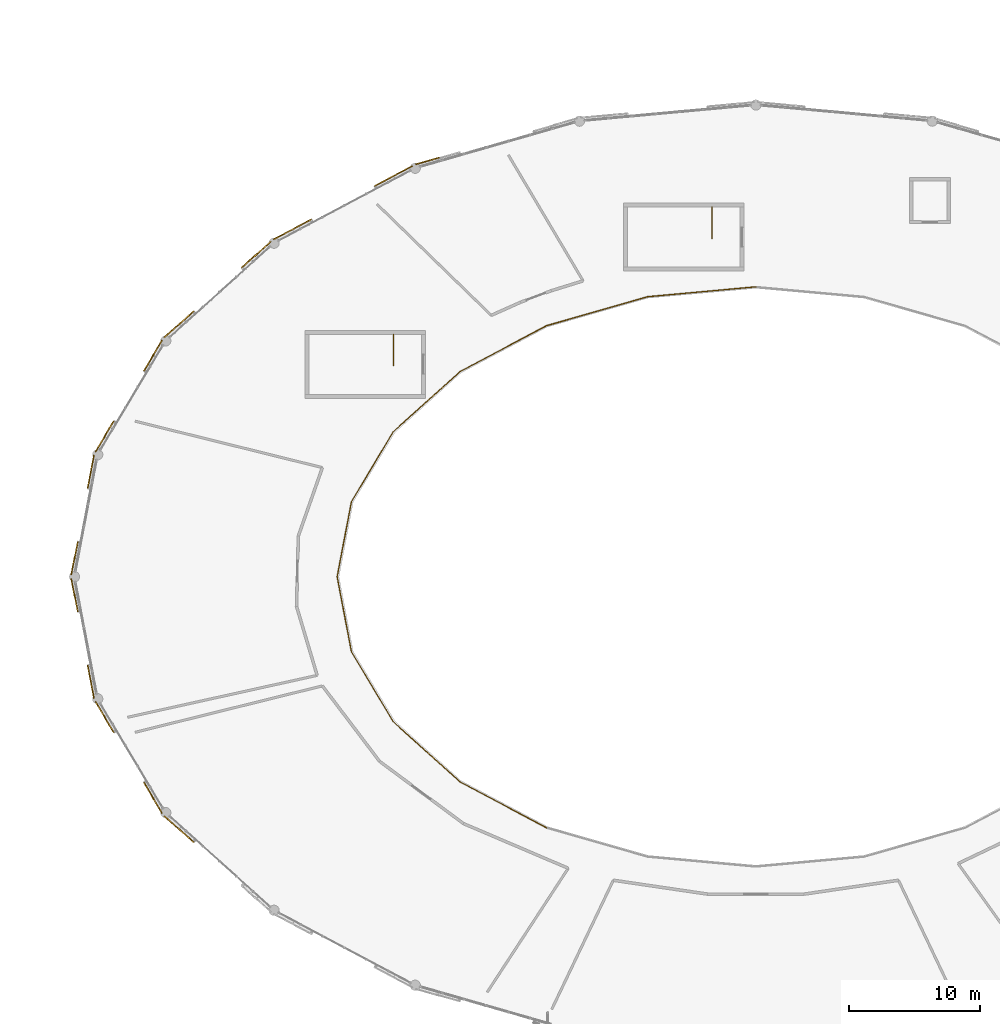
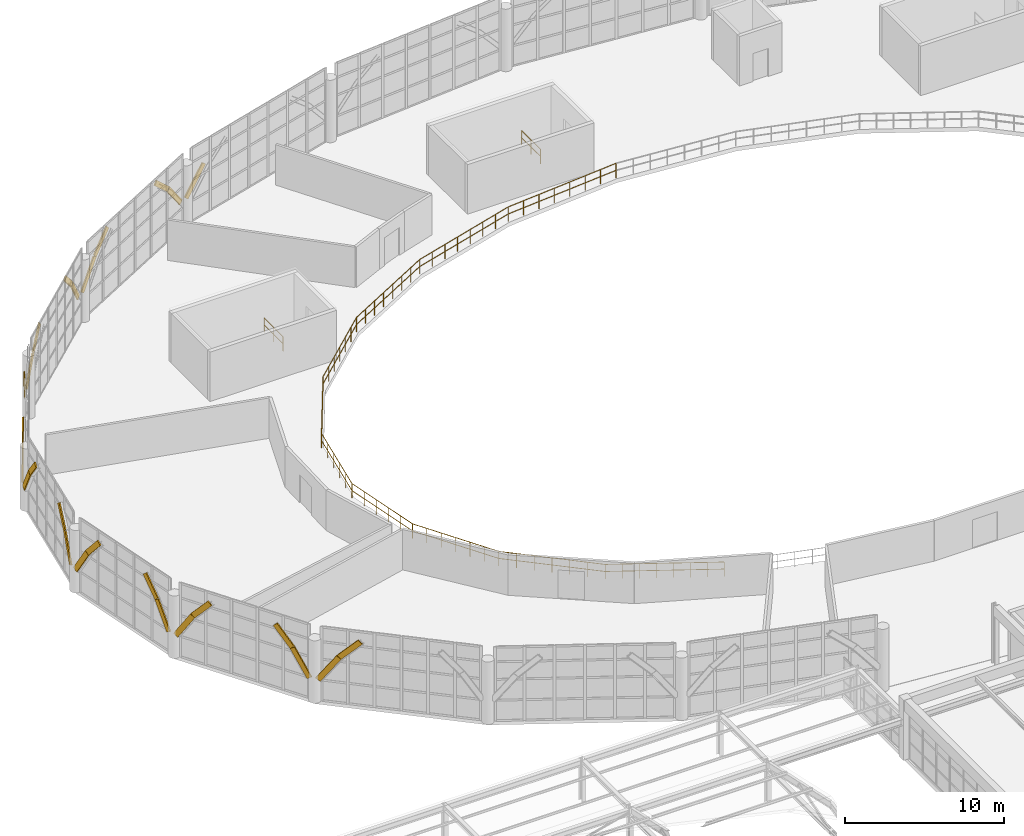
# One storey, part 101 of 109: 27 coverings, 12 railings.
"""IFC4 building model written with IfcOpenShell, lengths in metres."""

from ifc_helpers import new_model, si_unit, direction, frame, origin, origin_2d, place, context, subcontext, project, spatial, rectangle, circle, extrude, material, layer, layer_set, type_object, element, save


model = new_model("IFC4")

# Units and contexts
model_context = context("Model", 3, precision=1e-05, world=origin(), true_north=direction((0.0, 1.0)))
body_context = subcontext(model_context, "Body", "Model", "MODEL_VIEW")
ifc_project = project(units=[si_unit("LENGTHUNIT", "METRE"), si_unit("AREAUNIT", "SQUARE_METRE"), si_unit("VOLUMEUNIT", "CUBIC_METRE"), si_unit("PLANEANGLEUNIT", "RADIAN"), si_unit("MASSUNIT", "GRAM", prefix="KILO")], contexts=[model_context])

# Site, building, storey
site_placement = place(None, origin())
site = spatial("IfcSite", under=ifc_project, at=site_placement, CompositionType="ELEMENT")
building_placement = place(site_placement, origin())
building = spatial("IfcBuilding", under=site, at=building_placement, Name="Kivolera Central Railway Station", CompositionType="ELEMENT")
storey_placement = place(building_placement, frame((0.0, 0.0, 9.60009765625)))
storey = spatial("IfcBuildingStorey", under=building, at=storey_placement, Name="L02", CompositionType="ELEMENT", Elevation=9.60009765625)

# Coverings
ifc_material_1 = material(Name="Precast concrete C40/50", Category="concrete")
ifc_layer_1 = layer(ifc_material_1, 0.090087890625, Name="Precast concrete C40/50")
ifc_layer_set_1 = layer_set([ifc_layer_1], Name="Precast concrete C40/50")
covering_type = type_object("IfcCoveringType", Name="COV-CLAUSTRA-90", PredefinedType="CLADDING", material=ifc_layer_set_1)
covering_1_placement = place(storey_placement, frame((38.946044921875, 121.712890625, 2.73388671875), z_axis=(-0.620126449154, -0.177753496044, -0.76409873819), x_axis=(-0.275632123108, 0.961263196378, 0.0)))
element("IfcCovering", 1, at=covering_1_placement, inside=storey, type_object=covering_type, Name="Oval Lantern Arch Spandrel Extrados Trim 08.6", PredefinedType="CLADDING", context=body_context, shape_type="SweptSolid", body=[
    extrude(rectangle(XDim=0.090087890625, YDim=0.3798828125, at=origin_2d()), frame((0.0, 0.0, -1.24365234375)), (0.0, 0.0, 1.0), 2.487060546875),
])
covering_2_placement = place(storey_placement, frame((36.998046875, 120.93310546875, 2.72998046875), z_axis=(-0.545526623994, -0.289733411997, 0.786419259992), x_axis=(-0.469119253064, 0.88313482912, 0.0)))
element("IfcCovering", 2, at=covering_2_placement, inside=storey, type_object=covering_type, Name="Oval Lantern Arch Spandrel Extrados Trim 09.1", PredefinedType="CLADDING", context=body_context, shape_type="SweptSolid", body=[
    extrude(rectangle(XDim=0.090087890625, YDim=0.3798828125, at=origin_2d()), frame((0.0, 0.0, -1.2080078125)), (0.0, 0.0, 1.0), 2.416015625),
])
covering_3_placement = place(storey_placement, frame((35.666015625, 120.22607421875, 4.3759765625), z_axis=(-0.653053446153, -0.346578781081, 0.673353061158), x_axis=(-0.469119253064, 0.88313482912, 0.0)))
element("IfcCovering", 3, at=covering_3_placement, inside=storey, type_object=covering_type, Name="Oval Lantern Arch Spandrel Extrados Trim 09.2", PredefinedType="CLADDING", context=body_context, shape_type="SweptSolid", body=[
    extrude(rectangle(XDim=0.090087890625, YDim=0.3798828125, at=origin_2d()), frame((0.0, 0.0, -1.010009765625)), (0.0, 0.0, 1.0), 2.02001953125),
])
covering_4_placement = place(storey_placement, frame((29.323974609375, 116.85693359375, 4.3759765625), z_axis=(-0.652769351274, -0.346690854146, -0.673570802283), x_axis=(-0.469119253064, 0.88313482912, 0.0)))
element("IfcCovering", 4, at=covering_4_placement, inside=storey, type_object=covering_type, Name="Oval Lantern Arch Spandrel Extrados Trim 09.5", PredefinedType="CLADDING", context=body_context, shape_type="SweptSolid", body=[
    extrude(rectangle(XDim=0.090087890625, YDim=0.3798828125, at=origin_2d()), frame((0.0, 0.0, -1.009521484375)), (0.0, 0.0, 1.0), 2.01904296875),
])
covering_5_placement = place(storey_placement, frame((27.992919921875, 116.14990234375, 2.72998046875), z_axis=(-0.545817252017, -0.289667988009, -0.786241683024), x_axis=(-0.469119253064, 0.88313482912, 0.0)))
element("IfcCovering", 5, at=covering_5_placement, inside=storey, type_object=covering_type, Name="Oval Lantern Arch Spandrel Extrados Trim 09.6", PredefinedType="CLADDING", context=body_context, shape_type="SweptSolid", body=[
    extrude(rectangle(XDim=0.090087890625, YDim=0.3798828125, at=origin_2d()), frame((0.0, 0.0, -1.20849609375)), (0.0, 0.0, 1.0), 2.4169921875),
])
covering_6_placement = place(storey_placement, frame((26.37109375, 115.02490234375, 2.724853515625), z_axis=(-0.431133332814, -0.388705698832, 0.814267725648), x_axis=(-0.669922245859, 0.742431265844, 0.0)))
element("IfcCovering", 6, at=covering_6_placement, inside=storey, type_object=covering_type, Name="Oval Lantern Arch Spandrel Extrados Trim 10.1", PredefinedType="CLADDING", context=body_context, shape_type="SweptSolid", body=[
    extrude(rectangle(XDim=0.090087890625, YDim=0.3798828125, at=origin_2d()), frame((0.0, 0.0, -1.16650390625)), (0.0, 0.0, 1.0), 2.3330078125),
])
for number, where, z_axis, x_axis, name in (
    (7, (25.35498046875, 114.10791015625, 4.371826171875), (-0.523601648239, -0.473064972216, 0.708555464324), (-0.669922245859, 0.742431265844, 0.0), "Oval Lantern Arch Spandrel Extrados Trim 10.2"),
    (8, (20.5, 109.72705078125, 4.371826171875), (-0.523601648239, -0.473064972216, -0.708555464324), (-0.669922245859, 0.742431265844, 0.0), "Oval Lantern Arch Spandrel Extrados Trim 10.5"),
):
    element("IfcCovering", number, at=place(storey_placement, frame(where, z_axis=z_axis, x_axis=x_axis)), inside=storey, type_object=covering_type, Name=name, PredefinedType="CLADDING", context=body_context, shape_type="SweptSolid", body=[
        extrude(rectangle(XDim=0.090087890625, YDim=0.3798828125, at=origin_2d()), frame((0.0, 0.0, -0.95947265625)), (0.0, 0.0, 1.0), 1.9189453125),
    ])
covering_7_placement = place(storey_placement, frame((19.48388671875, 108.81005859375, 2.724853515625), z_axis=(-0.431133332814, -0.388705698832, -0.814267725648), x_axis=(-0.669922245859, 0.742431265844, 0.0)))
element("IfcCovering", 9, at=covering_7_placement, inside=storey, type_object=covering_type, Name="Oval Lantern Arch Spandrel Extrados Trim 10.6", PredefinedType="CLADDING", context=body_context, shape_type="SweptSolid", body=[
    extrude(rectangle(XDim=0.090087890625, YDim=0.3798828125, at=origin_2d()), frame((0.0, 0.0, -1.16650390625)), (0.0, 0.0, 1.0), 2.3330078125),
])
covering_8_placement = place(storey_placement, frame((18.30810546875, 107.39501953125, 2.719970703125), z_axis=(-0.277895585097, -0.464634338162, 0.840766897293), x_axis=(-0.858137550629, 0.513419851778, 0.0)))
element("IfcCovering", 10, at=covering_8_placement, inside=storey, type_object=covering_type, Name="Oval Lantern Arch Spandrel Extrados Trim 11.1", PredefinedType="CLADDING", context=body_context, shape_type="SweptSolid", body=[
    extrude(rectangle(XDim=0.090087890625, YDim=0.3798828125, at=origin_2d()), frame((0.0, 0.0, -1.1298828125)), (0.0, 0.0, 1.0), 2.260009765625),
])
for number, where, z_axis, x_axis, name in (
    (11, (17.674072265625, 106.3349609375, 4.366943359375), (-0.343400964084, -0.57361084614, 0.743670878182), (-0.858137550629, 0.513419851778, 0.0), "Oval Lantern Arch Spandrel Extrados Trim 11.2"),
    (12, (14.6279296875, 101.243896484375, 4.366943359375), (-0.343400964084, -0.57361084614, -0.743670878182), (-0.858137550629, 0.513419851778, 0.0), "Oval Lantern Arch Spandrel Extrados Trim 11.5"),
):
    element("IfcCovering", number, at=place(storey_placement, frame(where, z_axis=z_axis, x_axis=x_axis)), inside=storey, type_object=covering_type, Name=name, PredefinedType="CLADDING", context=body_context, shape_type="SweptSolid", body=[
        extrude(rectangle(XDim=0.090087890625, YDim=0.3798828125, at=origin_2d()), frame((0.0, 0.0, -0.91455078125)), (0.0, 0.0, 1.0), 1.8291015625),
    ])
covering_9_placement = place(storey_placement, frame((13.992919921875, 100.18408203125, 2.719970703125), z_axis=(-0.277895585097, -0.464634338162, -0.840766897293), x_axis=(-0.858137550629, 0.513419851778, 0.0)))
element("IfcCovering", 13, at=covering_9_placement, inside=storey, type_object=covering_type, Name="Oval Lantern Arch Spandrel Extrados Trim 11.6", PredefinedType="CLADDING", context=body_context, shape_type="SweptSolid", body=[
    extrude(rectangle(XDim=0.090087890625, YDim=0.3798828125, at=origin_2d()), frame((0.0, 0.0, -1.1298828125)), (0.0, 0.0, 1.0), 2.260009765625),
])
covering_10_placement = place(storey_placement, frame((13.3701171875, 98.56494140625, 2.716796875), z_axis=(-0.096105885015, -0.505796700081, 0.857282542137), x_axis=(-0.982390210999, 0.18684077, 0.0)))
element("IfcCovering", 14, at=covering_10_placement, inside=storey, type_object=covering_type, Name="Oval Lantern Arch Spandrel Extrados Trim 12.1", PredefinedType="CLADDING", context=body_context, shape_type="SweptSolid", body=[
    extrude(rectangle(XDim=0.090087890625, YDim=0.3798828125, at=origin_2d()), frame((0.0, 0.0, -1.10791015625)), (0.0, 0.0, 1.0), 2.216064453125),
])
for number, where, z_axis, x_axis, name in (
    (15, (13.154052734375, 97.43310546875, 4.364013671875), (-0.120023926021, -0.631111725113, 0.766349951137), (-0.982390210999, 0.18684077, 0.0), "Oval Lantern Arch Spandrel Extrados Trim 12.2"),
    (16, (12.116943359375, 91.97900390625, 4.364013671875), (-0.120023926021, -0.631111725113, -0.766349951137), (-0.982390210999, 0.18684077, 0.0), "Oval Lantern Arch Spandrel Extrados Trim 12.5"),
):
    element("IfcCovering", number, at=place(storey_placement, frame(where, z_axis=z_axis, x_axis=x_axis)), inside=storey, type_object=covering_type, Name=name, PredefinedType="CLADDING", context=body_context, shape_type="SweptSolid", body=[
        extrude(rectangle(XDim=0.090087890625, YDim=0.3798828125, at=origin_2d()), frame((0.0, 0.0, -0.887451171875)), (0.0, 0.0, 1.0), 1.77490234375),
    ])
for number, where, z_axis, x_axis, name in (
    (17, (11.902099609375, 90.846923828125, 2.716796875), (-0.096552889993, -0.505774716962, -0.857245282936), (-0.982390210999, 0.18684077, 0.0), "Oval Lantern Arch Spandrel Extrados Trim 12.6"),
    (18, (11.902099609375, 89.153076171875, 2.716796875), (0.096552889993, -0.505774716962, 0.857245282936), (-0.982390210999, -0.18684077, 0.0), "Oval Lantern Arch Spandrel Extrados Trim 13.1"),
):
    element("IfcCovering", number, at=place(storey_placement, frame(where, z_axis=z_axis, x_axis=x_axis)), inside=storey, type_object=covering_type, Name=name, PredefinedType="CLADDING", context=body_context, shape_type="SweptSolid", body=[
        extrude(rectangle(XDim=0.090087890625, YDim=0.3798828125, at=origin_2d()), frame((0.0, 0.0, -1.10791015625)), (0.0, 0.0, 1.0), 2.216064453125),
    ])
for number, where, z_axis, x_axis, name in (
    (19, (12.116943359375, 88.02099609375, 4.364013671875), (0.120023926021, -0.631111725113, 0.766349951137), (-0.982390210999, -0.18684077, 0.0), "Oval Lantern Arch Spandrel Extrados Trim 13.2"),
    (20, (13.154052734375, 82.56689453125, 4.364013671875), (0.120023926021, -0.631111725113, -0.766349951137), (-0.982390210999, -0.18684077, 0.0), "Oval Lantern Arch Spandrel Extrados Trim 13.5"),
):
    element("IfcCovering", number, at=place(storey_placement, frame(where, z_axis=z_axis, x_axis=x_axis)), inside=storey, type_object=covering_type, Name=name, PredefinedType="CLADDING", context=body_context, shape_type="SweptSolid", body=[
        extrude(rectangle(XDim=0.090087890625, YDim=0.3798828125, at=origin_2d()), frame((0.0, 0.0, -0.887451171875)), (0.0, 0.0, 1.0), 1.77490234375),
    ])
covering_11_placement = place(storey_placement, frame((13.3701171875, 81.43505859375, 2.716796875), z_axis=(0.096105885015, -0.505796700081, -0.857282542137), x_axis=(-0.982390210999, -0.18684077, 0.0)))
element("IfcCovering", 21, at=covering_11_placement, inside=storey, type_object=covering_type, Name="Oval Lantern Arch Spandrel Extrados Trim 13.6", PredefinedType="CLADDING", context=body_context, shape_type="SweptSolid", body=[
    extrude(rectangle(XDim=0.090087890625, YDim=0.3798828125, at=origin_2d()), frame((0.0, 0.0, -1.10791015625)), (0.0, 0.0, 1.0), 2.216064453125),
])
covering_12_placement = place(storey_placement, frame((13.992919921875, 79.81591796875, 2.719970703125), z_axis=(0.277895585097, -0.464634338162, 0.840766897293), x_axis=(-0.858137550629, -0.513419851778, 0.0)))
element("IfcCovering", 22, at=covering_12_placement, inside=storey, type_object=covering_type, Name="Oval Lantern Arch Spandrel Extrados Trim 14.1", PredefinedType="CLADDING", context=body_context, shape_type="SweptSolid", body=[
    extrude(rectangle(XDim=0.090087890625, YDim=0.3798828125, at=origin_2d()), frame((0.0, 0.0, -1.1298828125)), (0.0, 0.0, 1.0), 2.260009765625),
])
for number, where, z_axis, x_axis, name in (
    (23, (14.6279296875, 78.756103515625, 4.366943359375), (0.343400964084, -0.57361084614, 0.743670878182), (-0.858137550629, -0.513419851778, 0.0), "Oval Lantern Arch Spandrel Extrados Trim 14.2"),
    (24, (17.674072265625, 73.6650390625, 4.366943359375), (0.343400964084, -0.57361084614, -0.743670878182), (-0.858137550629, -0.513419851778, 0.0), "Oval Lantern Arch Spandrel Extrados Trim 14.5"),
):
    element("IfcCovering", number, at=place(storey_placement, frame(where, z_axis=z_axis, x_axis=x_axis)), inside=storey, type_object=covering_type, Name=name, PredefinedType="CLADDING", context=body_context, shape_type="SweptSolid", body=[
        extrude(rectangle(XDim=0.090087890625, YDim=0.3798828125, at=origin_2d()), frame((0.0, 0.0, -0.91455078125)), (0.0, 0.0, 1.0), 1.8291015625),
    ])
covering_13_placement = place(storey_placement, frame((18.30810546875, 72.60498046875, 2.719970703125), z_axis=(0.277895585097, -0.464634338162, -0.840766897293), x_axis=(-0.858137550629, -0.513419851778, 0.0)))
element("IfcCovering", 25, at=covering_13_placement, inside=storey, type_object=covering_type, Name="Oval Lantern Arch Spandrel Extrados Trim 14.6", PredefinedType="CLADDING", context=body_context, shape_type="SweptSolid", body=[
    extrude(rectangle(XDim=0.090087890625, YDim=0.3798828125, at=origin_2d()), frame((0.0, 0.0, -1.1298828125)), (0.0, 0.0, 1.0), 2.260009765625),
])
covering_14_placement = place(storey_placement, frame((19.48388671875, 71.18994140625, 2.724853515625), z_axis=(0.431133332814, -0.388705698832, 0.814267725648), x_axis=(-0.669922245859, -0.742431265844, 0.0)))
element("IfcCovering", 26, at=covering_14_placement, inside=storey, type_object=covering_type, Name="Oval Lantern Arch Spandrel Extrados Trim 15.1", PredefinedType="CLADDING", context=body_context, shape_type="SweptSolid", body=[
    extrude(rectangle(XDim=0.090087890625, YDim=0.3798828125, at=origin_2d()), frame((0.0, 0.0, -1.16650390625)), (0.0, 0.0, 1.0), 2.3330078125),
])
covering_15_placement = place(storey_placement, frame((20.5, 70.27294921875, 4.371826171875), z_axis=(0.523601648239, -0.473064972216, 0.708555464324), x_axis=(-0.669922245859, -0.742431265844, 0.0)))
element("IfcCovering", 27, at=covering_15_placement, inside=storey, type_object=covering_type, Name="Oval Lantern Arch Spandrel Extrados Trim 15.2", PredefinedType="CLADDING", context=body_context, shape_type="SweptSolid", body=[
    extrude(rectangle(XDim=0.090087890625, YDim=0.3798828125, at=origin_2d()), frame((0.0, 0.0, -0.95947265625)), (0.0, 0.0, 1.0), 1.9189453125),
])

# Railings
ifc_material_2 = material(Name="Anodised aluminium", Category="aluminium")
ifc_layer_2 = layer(ifc_material_2, 0.048095703125, Name="Anodised aluminium")
ifc_layer_set_2 = layer_set([ifc_layer_2], Name="Anodised aluminium")
railing_type_1 = type_object("IfcRailingType", Name="RL-INT-BAL-1130", PredefinedType="BALUSTRADE", material=ifc_layer_set_2)
railing_1_placement = place(storey_placement, frame((64.0, 112.1201171875, 0.0)))
element("IfcRailing", 28, at=railing_1_placement, inside=storey, type_object=railing_type_1, Name="L02 Concourse Upper Gallery Balustrade 07", PredefinedType="BALUSTRADE", context=body_context, shape_type="SweptSolid", body=[
    extrude(circle(Radius=0.02392578125, at=origin_2d()), frame((0.0, 0.0, 1.10595703125), z_axis=(-0.995866894987, -0.09082470737, 0.0), x_axis=(0.09082470737, -0.995866894987, 0.0)), (0.0, 0.0, 1.0), 8.303466796875),
    extrude(circle(Radius=0.02392578125, at=origin_2d()), frame((0.0, 0.0, 0.56494140625), z_axis=(-0.995866894987, -0.09082470737, 0.0), x_axis=(0.09082470737, -0.995866894987, 0.0)), (0.0, 0.0, 1.0), 8.303466796875),
    extrude(circle(Radius=0.02099609375, at=origin_2d()), origin(), (0.0, 0.0, 1.0), 1.081787109375),
    extrude(circle(Radius=0.02099609375, at=origin_2d()), frame((-1.181396484375, -0.107666015625, 0.0)), (0.0, 0.0, 1.0), 1.081787109375),
    extrude(circle(Radius=0.02099609375, at=origin_2d()), frame((-2.362548828125, -0.215576171875, 0.0)), (0.0, 0.0, 1.0), 1.081787109375),
    extrude(circle(Radius=0.02099609375, at=origin_2d()), frame((-3.5439453125, -0.3232421875, 0.0)), (0.0, 0.0, 1.0), 1.081787109375),
    extrude(circle(Radius=0.02099609375, at=origin_2d()), frame((-4.72509765625, -0.430908203125, 0.0)), (0.0, 0.0, 1.0), 1.081787109375),
    extrude(circle(Radius=0.02099609375, at=origin_2d()), frame((-5.906494140625, -0.53857421875, 0.0)), (0.0, 0.0, 1.0), 1.081787109375),
    extrude(circle(Radius=0.02099609375, at=origin_2d()), frame((-7.087646484375, -0.646484375, 0.0)), (0.0, 0.0, 1.0), 1.081787109375),
    extrude(circle(Radius=0.02099609375, at=origin_2d()), frame((-8.26904296875, -0.754150390625, 0.0)), (0.0, 0.0, 1.0), 1.081787109375),
])
railing_2_placement = place(storey_placement, frame((55.73095703125, 111.365966796875, 0.0)))
element("IfcRailing", 29, at=railing_2_placement, inside=storey, type_object=railing_type_1, Name="L02 Concourse Upper Gallery Balustrade 08", PredefinedType="BALUSTRADE", context=body_context, shape_type="SweptSolid", body=[
    extrude(circle(Radius=0.02392578125, at=origin_2d()), frame((0.0, 0.0, 1.10595703125), z_axis=(-0.961252265472, -0.275670241638, 0.0), x_axis=(0.275670241638, -0.961252265472, 0.0)), (0.0, 0.0, 1.0), 8.0166015625),
    extrude(circle(Radius=0.02392578125, at=origin_2d()), frame((0.0, 0.0, 0.56494140625), z_axis=(-0.961252265472, -0.275670241638, 0.0), x_axis=(0.275670241638, -0.961252265472, 0.0)), (0.0, 0.0, 1.0), 8.0166015625),
    extrude(circle(Radius=0.02099609375, at=origin_2d()), origin(), (0.0, 0.0, 1.0), 1.081787109375),
    extrude(circle(Radius=0.02099609375, at=origin_2d()), frame((-1.100830078125, -0.315673828125, 0.0)), (0.0, 0.0, 1.0), 1.081787109375),
    extrude(circle(Radius=0.02099609375, at=origin_2d()), frame((-2.20166015625, -0.63134765625, 0.0)), (0.0, 0.0, 1.0), 1.081787109375),
    extrude(circle(Radius=0.02099609375, at=origin_2d()), frame((-3.302490234375, -0.947021484375, 0.0)), (0.0, 0.0, 1.0), 1.081787109375),
    extrude(circle(Radius=0.02099609375, at=origin_2d()), frame((-4.403564453125, -1.262939453125, 0.0)), (0.0, 0.0, 1.0), 1.081787109375),
    extrude(circle(Radius=0.02099609375, at=origin_2d()), frame((-5.50439453125, -1.57861328125, 0.0)), (0.0, 0.0, 1.0), 1.081787109375),
    extrude(circle(Radius=0.02099609375, at=origin_2d()), frame((-6.605224609375, -1.894287109375, 0.0)), (0.0, 0.0, 1.0), 1.081787109375),
    extrude(circle(Radius=0.02099609375, at=origin_2d()), frame((-7.7060546875, -2.2099609375, 0.0)), (0.0, 0.0, 1.0), 1.081787109375),
])
railing_3_placement = place(storey_placement, frame((48.02490234375, 109.156005859375, 0.0)))
element("IfcRailing", 30, at=railing_3_placement, inside=storey, type_object=railing_type_1, Name="L02 Concourse Upper Gallery Balustrade 09", PredefinedType="BALUSTRADE", context=body_context, shape_type="SweptSolid", body=[
    extrude(circle(Radius=0.02392578125, at=origin_2d()), frame((0.0, 0.0, 1.10595703125), z_axis=(-0.883135547269, -0.469117901119, 0.0), x_axis=(0.469117901119, -0.883135547269, 0.0)), (0.0, 0.0, 1.0), 7.49267578125),
    extrude(circle(Radius=0.02392578125, at=origin_2d()), frame((0.0, 0.0, 0.56494140625), z_axis=(-0.883135547269, -0.469117901119, 0.0), x_axis=(0.469117901119, -0.883135547269, 0.0)), (0.0, 0.0, 1.0), 7.49267578125),
    extrude(circle(Radius=0.02099609375, at=origin_2d()), origin(), (0.0, 0.0, 1.0), 1.081787109375),
    extrude(circle(Radius=0.02099609375, at=origin_2d()), frame((-0.9453125, -0.502197265625, 0.0)), (0.0, 0.0, 1.0), 1.081787109375),
    extrude(circle(Radius=0.02099609375, at=origin_2d()), frame((-1.890625, -1.004150390625, 0.0)), (0.0, 0.0, 1.0), 1.081787109375),
    extrude(circle(Radius=0.02099609375, at=origin_2d()), frame((-2.8359375, -1.50634765625, 0.0)), (0.0, 0.0, 1.0), 1.081787109375),
    extrude(circle(Radius=0.02099609375, at=origin_2d()), frame((-3.781005859375, -2.008544921875, 0.0)), (0.0, 0.0, 1.0), 1.081787109375),
    extrude(circle(Radius=0.02099609375, at=origin_2d()), frame((-4.726318359375, -2.5107421875, 0.0)), (0.0, 0.0, 1.0), 1.081787109375),
    extrude(circle(Radius=0.02099609375, at=origin_2d()), frame((-5.671630859375, -3.0126953125, 0.0)), (0.0, 0.0, 1.0), 1.081787109375),
    extrude(circle(Radius=0.02099609375, at=origin_2d()), frame((-6.616943359375, -3.514892578125, 0.0)), (0.0, 0.0, 1.0), 1.081787109375),
])
railing_4_placement = place(storey_placement, frame((41.407958984375, 105.64111328125, 0.0)))
element("IfcRailing", 31, at=railing_4_placement, inside=storey, type_object=railing_type_1, Name="L02 Concourse Upper Gallery Balustrade 10", PredefinedType="BALUSTRADE", context=body_context, shape_type="SweptSolid", body=[
    extrude(circle(Radius=0.02392578125, at=origin_2d()), frame((0.0, 0.0, 1.10595703125), z_axis=(-0.74249661142, -0.669849820505, 0.0), x_axis=(0.669849820505, -0.74249661142, 0.0)), (0.0, 0.0, 1.0), 6.8388671875),
    extrude(circle(Radius=0.02392578125, at=origin_2d()), frame((0.0, 0.0, 0.56494140625), z_axis=(-0.74249661142, -0.669849820505, 0.0), x_axis=(0.669849820505, -0.74249661142, 0.0)), (0.0, 0.0, 1.0), 6.8388671875),
    extrude(circle(Radius=0.02099609375, at=origin_2d()), origin(), (0.0, 0.0, 1.0), 1.081787109375),
    extrude(circle(Radius=0.02099609375, at=origin_2d()), frame((-0.84619140625, -0.763427734375, 0.0)), (0.0, 0.0, 1.0), 1.081787109375),
    extrude(circle(Radius=0.02099609375, at=origin_2d()), frame((-1.692626953125, -1.527099609375, 0.0)), (0.0, 0.0, 1.0), 1.081787109375),
    extrude(circle(Radius=0.02099609375, at=origin_2d()), frame((-2.5390625, -2.29052734375, 0.0)), (0.0, 0.0, 1.0), 1.081787109375),
    extrude(circle(Radius=0.02099609375, at=origin_2d()), frame((-3.38525390625, -3.053955078125, 0.0)), (0.0, 0.0, 1.0), 1.081787109375),
    extrude(circle(Radius=0.02099609375, at=origin_2d()), frame((-4.2314453125, -3.817626953125, 0.0)), (0.0, 0.0, 1.0), 1.081787109375),
    extrude(circle(Radius=0.02099609375, at=origin_2d()), frame((-5.077880859375, -4.5810546875, 0.0)), (0.0, 0.0, 1.0), 1.081787109375),
])
railing_5_placement = place(storey_placement, frame((36.330078125, 101.06005859375, 0.0)))
element("IfcRailing", 32, at=railing_5_placement, inside=storey, type_object=railing_type_1, Name="L02 Concourse Upper Gallery Balustrade 11", PredefinedType="BALUSTRADE", context=body_context, shape_type="SweptSolid", body=[
    extrude(circle(Radius=0.02392578125, at=origin_2d()), frame((0.0, 0.0, 1.10595703125), z_axis=(-0.513334426972, -0.858188654135, 0.0), x_axis=(0.858188654135, -0.513334426972, 0.0)), (0.0, 0.0, 1.0), 6.216552734375),
    extrude(circle(Radius=0.02392578125, at=origin_2d()), frame((0.0, 0.0, 0.56494140625), z_axis=(-0.513334426972, -0.858188654135, 0.0), x_axis=(0.858188654135, -0.513334426972, 0.0)), (0.0, 0.0, 1.0), 6.216552734375),
    extrude(circle(Radius=0.02099609375, at=origin_2d()), origin(), (0.0, 0.0, 1.0), 1.081787109375),
    extrude(circle(Radius=0.02099609375, at=origin_2d()), frame((-0.53173828125, -0.88916015625, 0.0)), (0.0, 0.0, 1.0), 1.081787109375),
    extrude(circle(Radius=0.02099609375, at=origin_2d()), frame((-1.063720703125, -1.7783203125, 0.0)), (0.0, 0.0, 1.0), 1.081787109375),
    extrude(circle(Radius=0.02099609375, at=origin_2d()), frame((-1.595703125, -2.66748046875, 0.0)), (0.0, 0.0, 1.0), 1.081787109375),
    extrude(circle(Radius=0.02099609375, at=origin_2d()), frame((-2.12744140625, -3.556640625, 0.0)), (0.0, 0.0, 1.0), 1.081787109375),
    extrude(circle(Radius=0.02099609375, at=origin_2d()), frame((-2.6591796875, -4.44580078125, 0.0)), (0.0, 0.0, 1.0), 1.081787109375),
    extrude(circle(Radius=0.02099609375, at=origin_2d()), frame((-3.191162109375, -5.3349609375, 0.0)), (0.0, 0.0, 1.0), 1.081787109375),
])
railing_6_placement = place(storey_placement, frame((33.138916015625, 95.72509765625, 0.0)))
element("IfcRailing", 33, at=railing_6_placement, inside=storey, type_object=railing_type_1, Name="L02 Concourse Upper Gallery Balustrade 12", PredefinedType="BALUSTRADE", context=body_context, shape_type="SweptSolid", body=[
    extrude(circle(Radius=0.02392578125, at=origin_2d()), frame((0.0, 0.0, 1.10595703125), z_axis=(-0.186842592541, -0.982389864368, 0.0), x_axis=(0.982389864368, -0.186842592541, 0.0)), (0.0, 0.0, 1.0), 5.82763671875),
    extrude(circle(Radius=0.02392578125, at=origin_2d()), frame((0.0, 0.0, 0.56494140625), z_axis=(-0.186842592541, -0.982389864368, 0.0), x_axis=(0.982389864368, -0.186842592541, 0.0)), (0.0, 0.0, 1.0), 5.82763671875),
    extrude(circle(Radius=0.02099609375, at=origin_2d()), origin(), (0.0, 0.0, 1.0), 1.081787109375),
    extrude(circle(Radius=0.02099609375, at=origin_2d()), frame((-0.2177734375, -1.14501953125, 0.0)), (0.0, 0.0, 1.0), 1.081787109375),
    extrude(circle(Radius=0.02099609375, at=origin_2d()), frame((-0.435546875, -2.2900390625, 0.0)), (0.0, 0.0, 1.0), 1.081787109375),
    extrude(circle(Radius=0.02099609375, at=origin_2d()), frame((-0.6533203125, -3.43505859375, 0.0)), (0.0, 0.0, 1.0), 1.081787109375),
    extrude(circle(Radius=0.02099609375, at=origin_2d()), frame((-0.87109375, -4.580078125, 0.0)), (0.0, 0.0, 1.0), 1.081787109375),
    extrude(circle(Radius=0.02099609375, at=origin_2d()), frame((-1.0888671875, -5.72509765625, 0.0)), (0.0, 0.0, 1.0), 1.081787109375),
])
railing_7_placement = place(storey_placement, frame((32.050048828125, 90.0, 0.0)))
element("IfcRailing", 34, at=railing_7_placement, inside=storey, type_object=railing_type_1, Name="L02 Concourse Upper Gallery Balustrade 13", PredefinedType="BALUSTRADE", context=body_context, shape_type="SweptSolid", body=[
    extrude(circle(Radius=0.02392578125, at=origin_2d()), frame((0.0, 0.0, 1.10595703125), z_axis=(0.186842592541, -0.982389864368, 0.0), x_axis=(0.982389864368, 0.186842592541, 0.0)), (0.0, 0.0, 1.0), 5.82763671875),
    extrude(circle(Radius=0.02392578125, at=origin_2d()), frame((0.0, 0.0, 0.56494140625), z_axis=(0.186842592541, -0.982389864368, 0.0), x_axis=(0.982389864368, 0.186842592541, 0.0)), (0.0, 0.0, 1.0), 5.82763671875),
    extrude(circle(Radius=0.02099609375, at=origin_2d()), origin(), (0.0, 0.0, 1.0), 1.081787109375),
    extrude(circle(Radius=0.02099609375, at=origin_2d()), frame((0.2177734375, -1.14501953125, 0.0)), (0.0, 0.0, 1.0), 1.081787109375),
    extrude(circle(Radius=0.02099609375, at=origin_2d()), frame((0.435546875, -2.2900390625, 0.0)), (0.0, 0.0, 1.0), 1.081787109375),
    extrude(circle(Radius=0.02099609375, at=origin_2d()), frame((0.6533203125, -3.43505859375, 0.0)), (0.0, 0.0, 1.0), 1.081787109375),
    extrude(circle(Radius=0.02099609375, at=origin_2d()), frame((0.87109375, -4.580078125, 0.0)), (0.0, 0.0, 1.0), 1.081787109375),
    extrude(circle(Radius=0.02099609375, at=origin_2d()), frame((1.0888671875, -5.72509765625, 0.0)), (0.0, 0.0, 1.0), 1.081787109375),
])
railing_8_placement = place(storey_placement, frame((33.138916015625, 84.27490234375, 0.0)))
element("IfcRailing", 35, at=railing_8_placement, inside=storey, type_object=railing_type_1, Name="L02 Concourse Upper Gallery Balustrade 14", PredefinedType="BALUSTRADE", context=body_context, shape_type="SweptSolid", body=[
    extrude(circle(Radius=0.02392578125, at=origin_2d()), frame((0.0, 0.0, 1.10595703125), z_axis=(0.513334426972, -0.858188654135, 0.0), x_axis=(0.858188654135, 0.513334426972, 0.0)), (0.0, 0.0, 1.0), 6.216552734375),
    extrude(circle(Radius=0.02392578125, at=origin_2d()), frame((0.0, 0.0, 0.56494140625), z_axis=(0.513334426972, -0.858188654135, 0.0), x_axis=(0.858188654135, 0.513334426972, 0.0)), (0.0, 0.0, 1.0), 6.216552734375),
    extrude(circle(Radius=0.02099609375, at=origin_2d()), origin(), (0.0, 0.0, 1.0), 1.081787109375),
    extrude(circle(Radius=0.02099609375, at=origin_2d()), frame((0.53173828125, -0.88916015625, 0.0)), (0.0, 0.0, 1.0), 1.081787109375),
    extrude(circle(Radius=0.02099609375, at=origin_2d()), frame((1.063720703125, -1.7783203125, 0.0)), (0.0, 0.0, 1.0), 1.081787109375),
    extrude(circle(Radius=0.02099609375, at=origin_2d()), frame((1.595703125, -2.66748046875, 0.0)), (0.0, 0.0, 1.0), 1.081787109375),
    extrude(circle(Radius=0.02099609375, at=origin_2d()), frame((2.12744140625, -3.556640625, 0.0)), (0.0, 0.0, 1.0), 1.081787109375),
    extrude(circle(Radius=0.02099609375, at=origin_2d()), frame((2.6591796875, -4.44580078125, 0.0)), (0.0, 0.0, 1.0), 1.081787109375),
    extrude(circle(Radius=0.02099609375, at=origin_2d()), frame((3.191162109375, -5.3349609375, 0.0)), (0.0, 0.0, 1.0), 1.081787109375),
])
railing_9_placement = place(storey_placement, frame((36.330078125, 78.93994140625, 0.0)))
element("IfcRailing", 36, at=railing_9_placement, inside=storey, type_object=railing_type_1, Name="L02 Concourse Upper Gallery Balustrade 15", PredefinedType="BALUSTRADE", context=body_context, shape_type="SweptSolid", body=[
    extrude(circle(Radius=0.02392578125, at=origin_2d()), frame((0.0, 0.0, 1.10595703125), z_axis=(0.74249661142, -0.669849820505, 0.0), x_axis=(0.669849820505, 0.74249661142, 0.0)), (0.0, 0.0, 1.0), 6.8388671875),
    extrude(circle(Radius=0.02392578125, at=origin_2d()), frame((0.0, 0.0, 0.56494140625), z_axis=(0.74249661142, -0.669849820505, 0.0), x_axis=(0.669849820505, 0.74249661142, 0.0)), (0.0, 0.0, 1.0), 6.8388671875),
    extrude(circle(Radius=0.02099609375, at=origin_2d()), origin(), (0.0, 0.0, 1.0), 1.081787109375),
    extrude(circle(Radius=0.02099609375, at=origin_2d()), frame((0.84619140625, -0.763427734375, 0.0)), (0.0, 0.0, 1.0), 1.081787109375),
    extrude(circle(Radius=0.02099609375, at=origin_2d()), frame((1.692626953125, -1.527099609375, 0.0)), (0.0, 0.0, 1.0), 1.081787109375),
    extrude(circle(Radius=0.02099609375, at=origin_2d()), frame((2.5390625, -2.29052734375, 0.0)), (0.0, 0.0, 1.0), 1.081787109375),
    extrude(circle(Radius=0.02099609375, at=origin_2d()), frame((3.38525390625, -3.053955078125, 0.0)), (0.0, 0.0, 1.0), 1.081787109375),
    extrude(circle(Radius=0.02099609375, at=origin_2d()), frame((4.2314453125, -3.817626953125, 0.0)), (0.0, 0.0, 1.0), 1.081787109375),
    extrude(circle(Radius=0.02099609375, at=origin_2d()), frame((5.077880859375, -4.5810546875, 0.0)), (0.0, 0.0, 1.0), 1.081787109375),
])
railing_10_placement = place(storey_placement, frame((41.407958984375, 74.35888671875, 0.0)))
element("IfcRailing", 37, at=railing_10_placement, inside=storey, type_object=railing_type_1, Name="L02 Concourse Upper Gallery Balustrade 16", PredefinedType="BALUSTRADE", context=body_context, shape_type="SweptSolid", body=[
    extrude(circle(Radius=0.02392578125, at=origin_2d()), frame((0.0, 0.0, 1.10595703125), z_axis=(0.883135547269, -0.469117901119, 0.0), x_axis=(0.469117901119, 0.883135547269, 0.0)), (0.0, 0.0, 1.0), 7.49267578125),
    extrude(circle(Radius=0.02392578125, at=origin_2d()), frame((0.0, 0.0, 0.56494140625), z_axis=(0.883135547269, -0.469117901119, 0.0), x_axis=(0.469117901119, 0.883135547269, 0.0)), (0.0, 0.0, 1.0), 7.49267578125),
    extrude(circle(Radius=0.02099609375, at=origin_2d()), origin(), (0.0, 0.0, 1.0), 1.081787109375),
    extrude(circle(Radius=0.02099609375, at=origin_2d()), frame((0.9453125, -0.502197265625, 0.0)), (0.0, 0.0, 1.0), 1.081787109375),
    extrude(circle(Radius=0.02099609375, at=origin_2d()), frame((1.890625, -1.004150390625, 0.0)), (0.0, 0.0, 1.0), 1.081787109375),
    extrude(circle(Radius=0.02099609375, at=origin_2d()), frame((2.8359375, -1.50634765625, 0.0)), (0.0, 0.0, 1.0), 1.081787109375),
    extrude(circle(Radius=0.02099609375, at=origin_2d()), frame((3.781005859375, -2.008544921875, 0.0)), (0.0, 0.0, 1.0), 1.081787109375),
    extrude(circle(Radius=0.02099609375, at=origin_2d()), frame((4.726318359375, -2.5107421875, 0.0)), (0.0, 0.0, 1.0), 1.081787109375),
    extrude(circle(Radius=0.02099609375, at=origin_2d()), frame((5.671630859375, -3.0126953125, 0.0)), (0.0, 0.0, 1.0), 1.081787109375),
    extrude(circle(Radius=0.02099609375, at=origin_2d()), frame((6.616943359375, -3.514892578125, 0.0)), (0.0, 0.0, 1.0), 1.081787109375),
])
ifc_layer_3 = layer(ifc_material_2, 0.048095703125, Name="Anodised aluminium")
ifc_layer_set_3 = layer_set([ifc_layer_3], Name="Anodised aluminium")
railing_type_2 = type_object("IfcRailingType", Name="RL-STAIR-GUARD", PredefinedType="GUARDRAIL", material=ifc_layer_set_3)
for number, where, name in (
    (38, (60.64990234375, 118.199951171875, 0.0), "L02 ST5 top well guard 1"),
    (39, (36.35009765625, 108.5, 0.0), "L02 ST6 top well guard 1"),
):
    element("IfcRailing", number, at=place(storey_placement, frame(where)), inside=storey, type_object=railing_type_2, Name=name, PredefinedType="GUARDRAIL", context=body_context, shape_type="SweptSolid", body=[
        extrude(circle(Radius=0.02392578125, at=origin_2d()), frame((0.0, 0.0, 1.10595703125), z_axis=(0.0, -1.0, 0.0), x_axis=(1.0, 0.0, 0.0)), (0.0, 0.0, 1.0), 2.3798828125),
        extrude(circle(Radius=0.02392578125, at=origin_2d()), frame((0.0, 0.0, 0.56494140625), z_axis=(0.0, -1.0, 0.0), x_axis=(1.0, 0.0, 0.0)), (0.0, 0.0, 1.0), 2.3798828125),
        extrude(circle(Radius=0.02099609375, at=origin_2d()), origin(), (0.0, 0.0, 1.0), 1.081787109375),
        extrude(circle(Radius=0.02099609375, at=origin_2d()), frame((0.0, -1.18994140625, 0.0)), (0.0, 0.0, 1.0), 1.081787109375),
        extrude(circle(Radius=0.02099609375, at=origin_2d()), frame((0.0, -2.3798828125, 0.0)), (0.0, 0.0, 1.0), 1.081787109375),
    ])

save(model, "model.ifc")
